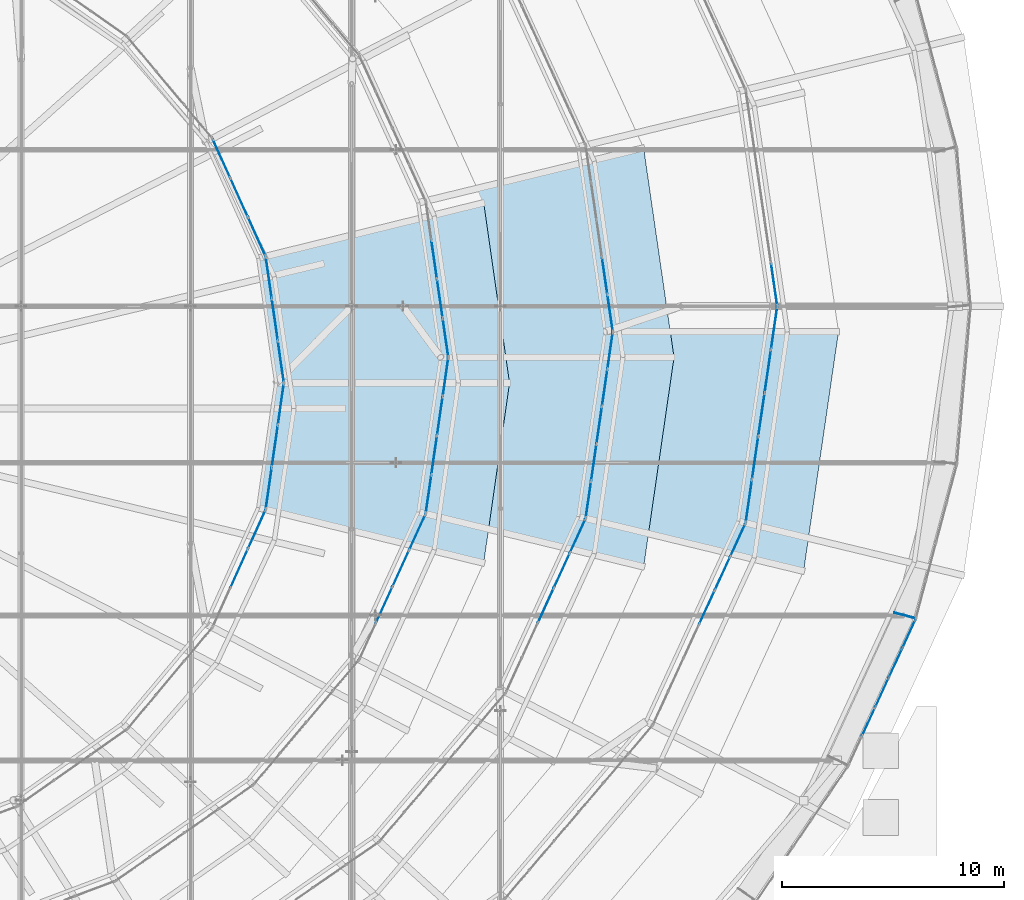
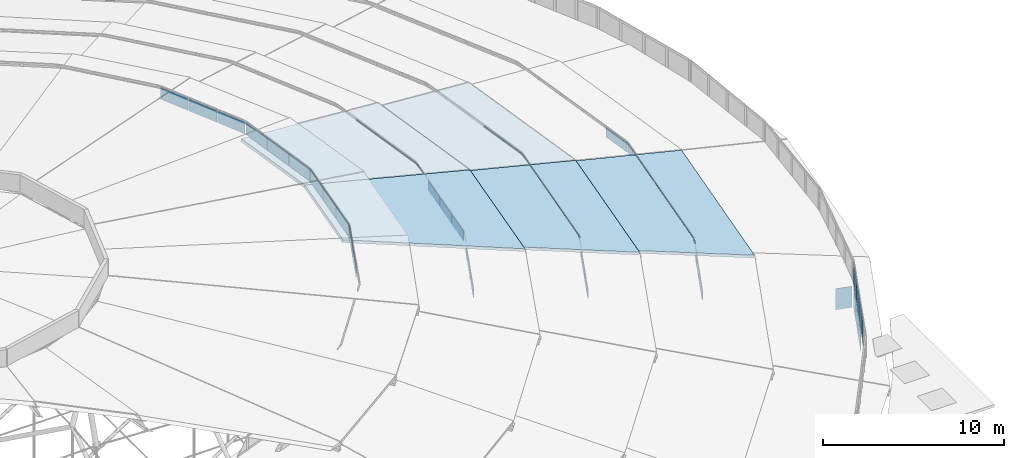
# One storey, part 152 of 173: 48 plates, 5 slabs, 17 elements without a shape of their own.
"""IFC4 building model written with IfcOpenShell, lengths in metres."""

from ifc_helpers import new_model, si_unit, direction, frame, origin, origin_2d, place, context, subcontext, project, spatial, polyline, rectangle, outline, extrude, material, layer, layer_set, type_object, element, aggregate, save


model = new_model("IFC4")

# Units and contexts
model_context = context("Model", 3, precision=1e-05, world=origin(), true_north=direction((0.0, 1.0)))
body_context = subcontext(model_context, "Body", "Model", "MODEL_VIEW")
ifc_project = project(units=[si_unit("LENGTHUNIT", "METRE"), si_unit("AREAUNIT", "SQUARE_METRE"), si_unit("VOLUMEUNIT", "CUBIC_METRE"), si_unit("PLANEANGLEUNIT", "RADIAN"), si_unit("MASSUNIT", "GRAM", prefix="KILO")], contexts=[model_context])

# Site, building, storey
site_placement = place(None, origin())
site = spatial("IfcSite", under=ifc_project, at=site_placement, CompositionType="ELEMENT")
building_placement = place(site_placement, origin())
building = spatial("IfcBuilding", under=site, at=building_placement, Name="Glasvene Arena", CompositionType="ELEMENT")
storey_placement = place(building_placement, frame((0.0, 0.0, 28.800048828125)))
storey = spatial("IfcBuildingStorey", under=building, at=storey_placement, Name="RF", CompositionType="ELEMENT", Elevation=28.800048828125)

# Curtain wall, plate
ifc_material_1 = material(Name="Low-emissivity laminated double glazing", Category="glass")
curtain_wall_type_1 = type_object("IfcCurtainWallType", Name="CW-PET1-986x75", PredefinedType="USERDEFINED", material=ifc_material_1)
curtain_wall_1_placement = place(storey_placement, frame((133.85009765625, 73.0, 0.0)))
curtain_wall_1 = element("IfcCurtainWall", 1, at=curtain_wall_1_placement, inside=storey, type_object=curtain_wall_type_1, Name="Petal ring 1-2 clerestory curtain wall 01", ObjectType="CURTAIN WALL", PredefinedType="USERDEFINED")
ifc_layer_1 = layer(ifc_material_1, 0.028076171875)
ifc_layer_set_1 = layer_set([ifc_layer_1], Name="Low-emissivity laminated double glazing")
plate_type_1 = type_object("IfcPlateType", Name="CW-GLZ-28", PredefinedType="CURTAIN_PANEL", material=ifc_layer_set_1)
plate_1_placement = place(storey_placement, frame((133.70556640625, 73.988037109375, 2.6298828125), z_axis=(0.0, 0.0, 1.0), x_axis=(-0.144607878249, 0.989489040641, 0.0)))
plate_1 = element("IfcPlate", 2, at=plate_1_placement, type_object=plate_type_1, Name="CW-081 panel 1.1", PredefinedType="CURTAIN_PANEL", context=body_context, shape_type="SweptSolid", body=[
    extrude(rectangle(XDim=1.897216796875, YDim=0.028076171875, at=origin_2d()), origin(), (0.0, 0.0, 1.0), 0.64990234375),
])
aggregate(curtain_wall_1, [plate_1])

# Curtain wall, plates
curtain_wall_type_2 = type_object("IfcCurtainWallType", Name="CW-PET1-1001x75", PredefinedType="USERDEFINED", material=ifc_material_1)
curtain_wall_2_placement = place(storey_placement, frame((128.2431640625, 54.14990234375, 0.0)))
curtain_wall_2 = element("IfcCurtainWall", 3, at=curtain_wall_2_placement, inside=storey, type_object=curtain_wall_type_2, Name="Petal ring 1-2 clerestory curtain wall 23", ObjectType="CURTAIN WALL", PredefinedType="USERDEFINED")
plate_2_placement = place(storey_placement, frame((130.681884765625, 59.453857421875, 2.6298828125), z_axis=(0.0, 0.0, 1.0), x_axis=(0.41776127596, 0.908556831634, 0.0)))
plate_2 = element("IfcPlate", 4, at=plate_2_placement, type_object=plate_type_1, Name="CW-082 panel 4.1", PredefinedType="CURTAIN_PANEL", context=body_context, shape_type="SweptSolid", body=[
    extrude(rectangle(XDim=1.617919921875, YDim=0.028076171875, at=origin_2d()), origin(), (0.0, 0.0, 1.0), 0.64990234375),
])
plate_3_placement = place(storey_placement, frame((131.37890625, 60.969482421875, 2.6298828125), z_axis=(0.0, 0.0, 1.0), x_axis=(0.41776127596, 0.908556831634, 0.0)))
plate_3 = element("IfcPlate", 5, at=plate_3_placement, type_object=plate_type_1, Name="CW-082 panel 5.1", PredefinedType="CURTAIN_PANEL", context=body_context, shape_type="SweptSolid", body=[
    extrude(rectangle(XDim=1.617919921875, YDim=0.028076171875, at=origin_2d()), origin(), (0.0, 0.0, 1.0), 0.64990234375),
])
plate_4_placement = place(storey_placement, frame((132.0703125, 62.473388671875, 2.6298828125), z_axis=(0.0, 0.0, 1.0), x_axis=(0.41776127596, 0.908556831634, 0.0)))
plate_4 = element("IfcPlate", 6, at=plate_4_placement, type_object=plate_type_1, Name="CW-082 panel 6.1", PredefinedType="CURTAIN_PANEL", context=body_context, shape_type="SweptSolid", body=[
    extrude(rectangle(XDim=1.593017578125, YDim=0.028076171875, at=origin_2d()), origin(), (0.0, 0.0, 1.0), 0.64990234375),
])
aggregate(curtain_wall_2, [plate_2, plate_3, plate_4])

curtain_wall_3_placement = place(storey_placement, frame((132.424072265625, 63.242431640625, 0.0)))
curtain_wall_3 = element("IfcCurtainWall", 7, at=curtain_wall_3_placement, inside=storey, type_object=curtain_wall_type_1, Name="Petal ring 1-2 clerestory curtain wall 24", ObjectType="CURTAIN WALL", PredefinedType="USERDEFINED")
plate_5_placement = place(storey_placement, frame((132.568359375, 64.230712890625, 2.6298828125), z_axis=(0.0, 0.0, 1.0), x_axis=(0.144607878249, 0.989489040641, 0.0)))
plate_5 = element("IfcPlate", 8, at=plate_5_placement, type_object=plate_type_1, Name="CW-081 panel 1.1", PredefinedType="CURTAIN_PANEL", context=body_context, shape_type="SweptSolid", body=[
    extrude(rectangle(XDim=1.897216796875, YDim=0.028076171875, at=origin_2d()), origin(), (0.0, 0.0, 1.0), 0.64990234375),
])
plate_6_placement = place(storey_placement, frame((132.851806640625, 66.169677734375, 2.6298828125), z_axis=(0.0, 0.0, 1.0), x_axis=(0.144607878249, 0.989489040641, 0.0)))
plate_6 = element("IfcPlate", 9, at=plate_6_placement, type_object=plate_type_1, Name="CW-081 panel 2.1", PredefinedType="CURTAIN_PANEL", context=body_context, shape_type="SweptSolid", body=[
    extrude(rectangle(XDim=1.922119140625, YDim=0.028076171875, at=origin_2d()), origin(), (0.0, 0.0, 1.0), 0.64990234375),
])
plate_7_placement = place(storey_placement, frame((133.136962890625, 68.121337890625, 2.6298828125), z_axis=(0.0, 0.0, 1.0), x_axis=(0.144607878249, 0.989489040641, 0.0)))
plate_7 = element("IfcPlate", 10, at=plate_7_placement, type_object=plate_type_1, Name="CW-081 panel 3.1", PredefinedType="CURTAIN_PANEL", context=body_context, shape_type="SweptSolid", body=[
    extrude(rectangle(XDim=1.922119140625, YDim=0.028076171875, at=origin_2d()), origin(), (0.0, 0.0, 1.0), 0.64990234375),
])
plate_8_placement = place(storey_placement, frame((133.422119140625, 70.07275390625, 2.6298828125), z_axis=(0.0, 0.0, 1.0), x_axis=(0.144607878249, 0.989489040641, 0.0)))
plate_8 = element("IfcPlate", 11, at=plate_8_placement, type_object=plate_type_1, Name="CW-081 panel 4.1", PredefinedType="CURTAIN_PANEL", context=body_context, shape_type="SweptSolid", body=[
    extrude(rectangle(XDim=1.922119140625, YDim=0.028076171875, at=origin_2d()), origin(), (0.0, 0.0, 1.0), 0.64990234375),
])
plate_9_placement = place(storey_placement, frame((133.70556640625, 72.011962890625, 2.6298828125), z_axis=(0.0, 0.0, 1.0), x_axis=(0.144607878249, 0.989489040641, 0.0)))
plate_9 = element("IfcPlate", 12, at=plate_9_placement, type_object=plate_type_1, Name="CW-081 panel 5.1", PredefinedType="CURTAIN_PANEL", context=body_context, shape_type="SweptSolid", body=[
    extrude(rectangle(XDim=1.897216796875, YDim=0.028076171875, at=origin_2d()), origin(), (0.0, 0.0, 1.0), 0.64990234375),
])
aggregate(curtain_wall_3, [plate_5, plate_6, plate_7, plate_8, plate_9])

curtain_wall_type_3 = type_object("IfcCurtainWallType", Name="CW-PET2-849x75", PredefinedType="USERDEFINED", material=ifc_material_1)
curtain_wall_4_placement = place(storey_placement, frame((126.449951171875, 71.85009765625, 0.0)))
curtain_wall_4 = element("IfcCurtainWall", 13, at=curtain_wall_4_placement, inside=storey, type_object=curtain_wall_type_3, Name="Petal ring 2-3 clerestory curtain wall 01", ObjectType="CURTAIN WALL", PredefinedType="USERDEFINED")
plate_10_placement = place(storey_placement, frame((126.325927734375, 72.7021484375, 5.22998046875), z_axis=(0.0, 0.0, 1.0), x_axis=(-0.144132635268, 0.98955837799, 0.0)))
plate_10 = element("IfcPlate", 14, at=plate_10_placement, type_object=plate_type_1, Name="CW-087 panel 1.1", PredefinedType="CURTAIN_PANEL", context=body_context, shape_type="SweptSolid", body=[
    extrude(rectangle(XDim=1.62255859375, YDim=0.028076171875, at=origin_2d()), origin(), (0.0, 0.0, 1.0), 0.64990234375),
])
plate_11_placement = place(storey_placement, frame((126.0830078125, 74.36962890625, 5.22998046875), z_axis=(0.0, 0.0, 1.0), x_axis=(-0.144132635268, 0.98955837799, 0.0)))
plate_11 = element("IfcPlate", 15, at=plate_11_placement, type_object=plate_type_1, Name="CW-087 panel 2.1", PredefinedType="CURTAIN_PANEL", context=body_context, shape_type="SweptSolid", body=[
    extrude(rectangle(XDim=1.6474609375, YDim=0.028076171875, at=origin_2d()), origin(), (0.0, 0.0, 1.0), 0.64990234375),
])
aggregate(curtain_wall_4, [plate_10, plate_11])

curtain_wall_type_4 = type_object("IfcCurtainWallType", Name="CW-PET2-861x75", PredefinedType="USERDEFINED", material=ifc_material_1)
curtain_wall_5_placement = place(storey_placement, frame((121.640380859375, 55.625, 0.0)))
curtain_wall_5 = element("IfcCurtainWall", 16, at=curtain_wall_5_placement, inside=storey, type_object=curtain_wall_type_4, Name="Petal ring 2-3 clerestory curtain wall 23", ObjectType="CURTAIN WALL", PredefinedType="USERDEFINED")
plate_12_placement = place(storey_placement, frame((123.43359375, 59.5380859375, 5.22998046875), z_axis=(0.0, 0.0, 1.0), x_axis=(0.416591913749, 0.909093602111, 0.0)))
plate_12 = element("IfcPlate", 17, at=plate_12_placement, type_object=plate_type_1, Name="CW-088 panel 3.1", PredefinedType="CURTAIN_PANEL", context=body_context, shape_type="SweptSolid", body=[
    extrude(rectangle(XDim=1.671875, YDim=0.028076171875, at=origin_2d()), origin(), (0.0, 0.0, 1.0), 0.64990234375),
])
plate_13_placement = place(storey_placement, frame((124.15087890625, 61.103515625, 5.22998046875), z_axis=(0.0, 0.0, 1.0), x_axis=(0.416591913749, 0.909093602111, 0.0)))
plate_13 = element("IfcPlate", 18, at=plate_13_placement, type_object=plate_type_1, Name="CW-088 panel 4.1", PredefinedType="CURTAIN_PANEL", context=body_context, shape_type="SweptSolid", body=[
    extrude(rectangle(XDim=1.671875, YDim=0.028076171875, at=origin_2d()), origin(), (0.0, 0.0, 1.0), 0.64990234375),
])
plate_14_placement = place(storey_placement, frame((124.86279296875, 62.6572265625, 5.22998046875), z_axis=(0.0, 0.0, 1.0), x_axis=(0.416591913749, 0.909093602111, 0.0)))
plate_14 = element("IfcPlate", 19, at=plate_14_placement, type_object=plate_type_1, Name="CW-088 panel 5.1", PredefinedType="CURTAIN_PANEL", context=body_context, shape_type="SweptSolid", body=[
    extrude(rectangle(XDim=1.646728515625, YDim=0.028076171875, at=origin_2d()), origin(), (0.0, 0.0, 1.0), 0.64990234375),
])
aggregate(curtain_wall_5, [plate_12, plate_13, plate_14])

curtain_wall_6_placement = place(storey_placement, frame((125.226806640625, 63.451416015625, 0.0)))
curtain_wall_6 = element("IfcCurtainWall", 20, at=curtain_wall_6_placement, inside=storey, type_object=curtain_wall_type_3, Name="Petal ring 2-3 clerestory curtain wall 24", ObjectType="CURTAIN WALL", PredefinedType="USERDEFINED")
plate_15_placement = place(storey_placement, frame((125.350830078125, 64.303466796875, 5.22998046875), z_axis=(0.0, 0.0, 1.0), x_axis=(0.144132635268, 0.98955837799, 0.0)))
plate_15 = element("IfcPlate", 21, at=plate_15_placement, type_object=plate_type_1, Name="CW-087 panel 1.1", PredefinedType="CURTAIN_PANEL", context=body_context, shape_type="SweptSolid", body=[
    extrude(rectangle(XDim=1.62255859375, YDim=0.028076171875, at=origin_2d()), origin(), (0.0, 0.0, 1.0), 0.64990234375),
])
plate_16_placement = place(storey_placement, frame((125.59375, 65.970947265625, 5.22998046875), z_axis=(0.0, 0.0, 1.0), x_axis=(0.144132635268, 0.98955837799, 0.0)))
plate_16 = element("IfcPlate", 22, at=plate_16_placement, type_object=plate_type_1, Name="CW-087 panel 2.1", PredefinedType="CURTAIN_PANEL", context=body_context, shape_type="SweptSolid", body=[
    extrude(rectangle(XDim=1.6474609375, YDim=0.028076171875, at=origin_2d()), origin(), (0.0, 0.0, 1.0), 0.64990234375),
])
plate_17_placement = place(storey_placement, frame((125.83837890625, 67.650634765625, 5.22998046875), z_axis=(0.0, 0.0, 1.0), x_axis=(0.144132635268, 0.98955837799, 0.0)))
plate_17 = element("IfcPlate", 23, at=plate_17_placement, type_object=plate_type_1, Name="CW-087 panel 3.1", PredefinedType="CURTAIN_PANEL", context=body_context, shape_type="SweptSolid", body=[
    extrude(rectangle(XDim=1.6474609375, YDim=0.028076171875, at=origin_2d()), origin(), (0.0, 0.0, 1.0), 0.64990234375),
])
plate_18_placement = place(storey_placement, frame((126.0830078125, 69.330322265625, 5.22998046875), z_axis=(0.0, 0.0, 1.0), x_axis=(0.144132635268, 0.98955837799, 0.0)))
plate_18 = element("IfcPlate", 24, at=plate_18_placement, type_object=plate_type_1, Name="CW-087 panel 4.1", PredefinedType="CURTAIN_PANEL", context=body_context, shape_type="SweptSolid", body=[
    extrude(rectangle(XDim=1.6474609375, YDim=0.028076171875, at=origin_2d()), origin(), (0.0, 0.0, 1.0), 0.64990234375),
])
plate_19_placement = place(storey_placement, frame((126.325927734375, 70.997802734375, 5.22998046875), z_axis=(0.0, 0.0, 1.0), x_axis=(0.144132635268, 0.98955837799, 0.0)))
plate_19 = element("IfcPlate", 25, at=plate_19_placement, type_object=plate_type_1, Name="CW-087 panel 5.1", PredefinedType="CURTAIN_PANEL", context=body_context, shape_type="SweptSolid", body=[
    extrude(rectangle(XDim=1.62255859375, YDim=0.028076171875, at=origin_2d()), origin(), (0.0, 0.0, 1.0), 0.64990234375),
])
aggregate(curtain_wall_6, [plate_15, plate_16, plate_17, plate_18, plate_19])

curtain_wall_type_5 = type_object("IfcCurtainWallType", Name="CW-PET3-711x75", PredefinedType="USERDEFINED", material=ifc_material_1)
curtain_wall_7_placement = place(storey_placement, frame((119.050048828125, 70.699951171875, 0.0)))
curtain_wall_7 = element("IfcCurtainWall", 26, at=curtain_wall_7_placement, inside=storey, type_object=curtain_wall_type_5, Name="Petal ring 3-4 clerestory curtain wall 01", ObjectType="CURTAIN WALL", PredefinedType="USERDEFINED")
plate_20_placement = place(storey_placement, frame((118.920654296875, 71.59228515625, 7.8798828125), z_axis=(0.0, 0.0, 1.0), x_axis=(-0.143460001758, 0.989656115979, 0.0)))
plate_20 = element("IfcPlate", 27, at=plate_20_placement, type_object=plate_type_1, Name="CW-093 panel 1.1", PredefinedType="CURTAIN_PANEL", context=body_context, shape_type="SweptSolid", body=[
    extrude(rectangle(XDim=1.703369140625, YDim=0.028076171875, at=origin_2d()), origin(), (0.0, 0.0, 1.0), 0.64990234375),
])
plate_21_placement = place(storey_placement, frame((118.667236328125, 73.33984375, 7.8798828125), z_axis=(0.0, 0.0, 1.0), x_axis=(-0.143460001758, 0.989656115979, 0.0)))
plate_21 = element("IfcPlate", 28, at=plate_21_placement, type_object=plate_type_1, Name="CW-093 panel 2.1", PredefinedType="CURTAIN_PANEL", context=body_context, shape_type="SweptSolid", body=[
    extrude(rectangle(XDim=1.728271484375, YDim=0.028076171875, at=origin_2d()), origin(), (0.0, 0.0, 1.0), 0.64990234375),
])
plate_22_placement = place(storey_placement, frame((118.412109375, 75.099853515625, 7.8798828125), z_axis=(0.0, 0.0, 1.0), x_axis=(-0.143460001758, 0.989656115979, 0.0)))
plate_22 = element("IfcPlate", 29, at=plate_22_placement, type_object=plate_type_1, Name="CW-093 panel 3.1", PredefinedType="CURTAIN_PANEL", context=body_context, shape_type="SweptSolid", body=[
    extrude(rectangle(XDim=1.728271484375, YDim=0.028076171875, at=origin_2d()), origin(), (0.0, 0.0, 1.0), 0.64990234375),
])
aggregate(curtain_wall_7, [plate_20, plate_21, plate_22])

curtain_wall_type_6 = type_object("IfcCurtainWallType", Name="CW-PET3-721x75", PredefinedType="USERDEFINED", material=ifc_material_1)
curtain_wall_8_placement = place(storey_placement, frame((115.03759765625, 57.10009765625, 0.0)))
curtain_wall_8 = element("IfcCurtainWall", 30, at=curtain_wall_8_placement, inside=storey, type_object=curtain_wall_type_6, Name="Petal ring 3-4 clerestory curtain wall 23", ObjectType="CURTAIN WALL", PredefinedType="USERDEFINED")
plate_23_placement = place(storey_placement, frame((116.159423828125, 59.56005859375, 7.8798828125), z_axis=(0.0, 0.0, 1.0), x_axis=(0.414967716717, 0.909836135842, 0.0)))
plate_23 = element("IfcPlate", 31, at=plate_23_placement, type_object=plate_type_1, Name="CW-094 panel 2.1", PredefinedType="CURTAIN_PANEL", context=body_context, shape_type="SweptSolid", body=[
    extrude(rectangle(XDim=1.75244140625, YDim=0.028076171875, at=origin_2d()), origin(), (0.0, 0.0, 1.0), 0.64990234375),
])
plate_24_placement = place(storey_placement, frame((116.907470703125, 61.199951171875, 7.8798828125), z_axis=(0.0, 0.0, 1.0), x_axis=(0.414967716717, 0.909836135842, 0.0)))
plate_24 = element("IfcPlate", 32, at=plate_24_placement, type_object=plate_type_1, Name="CW-094 panel 3.1", PredefinedType="CURTAIN_PANEL", context=body_context, shape_type="SweptSolid", body=[
    extrude(rectangle(XDim=1.75244140625, YDim=0.028076171875, at=origin_2d()), origin(), (0.0, 0.0, 1.0), 0.64990234375),
])
plate_25_placement = place(storey_placement, frame((117.650390625, 62.82861328125, 7.8798828125), z_axis=(0.0, 0.0, 1.0), x_axis=(0.414967716717, 0.909836135842, 0.0)))
plate_25 = element("IfcPlate", 33, at=plate_25_placement, type_object=plate_type_1, Name="CW-094 panel 4.1", PredefinedType="CURTAIN_PANEL", context=body_context, shape_type="SweptSolid", body=[
    extrude(rectangle(XDim=1.7275390625, YDim=0.028076171875, at=origin_2d()), origin(), (0.0, 0.0, 1.0), 0.64990234375),
])
aggregate(curtain_wall_8, [plate_23, plate_24, plate_25])

curtain_wall_9_placement = place(storey_placement, frame((118.029541015625, 63.66015625, 0.0)))
curtain_wall_9 = element("IfcCurtainWall", 34, at=curtain_wall_9_placement, inside=storey, type_object=curtain_wall_type_5, Name="Petal ring 3-4 clerestory curtain wall 24", ObjectType="CURTAIN WALL", PredefinedType="USERDEFINED")
plate_26_placement = place(storey_placement, frame((118.158935546875, 64.552490234375, 7.8798828125), z_axis=(0.0, 0.0, 1.0), x_axis=(0.143460001758, 0.989656115979, 0.0)))
plate_26 = element("IfcPlate", 35, at=plate_26_placement, type_object=plate_type_1, Name="CW-093 panel 1.1", PredefinedType="CURTAIN_PANEL", context=body_context, shape_type="SweptSolid", body=[
    extrude(rectangle(XDim=1.703369140625, YDim=0.028076171875, at=origin_2d()), origin(), (0.0, 0.0, 1.0), 0.64990234375),
])
plate_27_placement = place(storey_placement, frame((118.412109375, 66.300048828125, 7.8798828125), z_axis=(0.0, 0.0, 1.0), x_axis=(0.143460001758, 0.989656115979, 0.0)))
plate_27 = element("IfcPlate", 36, at=plate_27_placement, type_object=plate_type_1, Name="CW-093 panel 2.1", PredefinedType="CURTAIN_PANEL", context=body_context, shape_type="SweptSolid", body=[
    extrude(rectangle(XDim=1.728271484375, YDim=0.028076171875, at=origin_2d()), origin(), (0.0, 0.0, 1.0), 0.64990234375),
])
plate_28_placement = place(storey_placement, frame((118.667236328125, 68.06005859375, 7.8798828125), z_axis=(0.0, 0.0, 1.0), x_axis=(0.143460001758, 0.989656115979, 0.0)))
plate_28 = element("IfcPlate", 37, at=plate_28_placement, type_object=plate_type_1, Name="CW-093 panel 3.1", PredefinedType="CURTAIN_PANEL", context=body_context, shape_type="SweptSolid", body=[
    extrude(rectangle(XDim=1.728271484375, YDim=0.028076171875, at=origin_2d()), origin(), (0.0, 0.0, 1.0), 0.64990234375),
])
plate_29_placement = place(storey_placement, frame((118.920654296875, 69.8076171875, 7.8798828125), z_axis=(0.0, 0.0, 1.0), x_axis=(0.143460001758, 0.989656115979, 0.0)))
plate_29 = element("IfcPlate", 38, at=plate_29_placement, type_object=plate_type_1, Name="CW-093 panel 4.1", PredefinedType="CURTAIN_PANEL", context=body_context, shape_type="SweptSolid", body=[
    extrude(rectangle(XDim=1.703369140625, YDim=0.028076171875, at=origin_2d()), origin(), (0.0, 0.0, 1.0), 0.64990234375),
])
aggregate(curtain_wall_9, [plate_26, plate_27, plate_28, plate_29])

curtain_wall_type_7 = type_object("IfcCurtainWallType", Name="CW-PET4-575x92", PredefinedType="USERDEFINED", material=ifc_material_1)
curtain_wall_10_placement = place(storey_placement, frame((111.64990234375, 69.550048828125, 0.0)))
curtain_wall_10 = element("IfcCurtainWall", 39, at=curtain_wall_10_placement, inside=storey, type_object=curtain_wall_type_7, Name="Petal ring 4-5 clerestory curtain wall 01", ObjectType="CURTAIN WALL", PredefinedType="USERDEFINED")
plate_30_placement = place(storey_placement, frame((111.511962890625, 70.511474609375, 10.580078125), z_axis=(0.0, 0.0, 1.0), x_axis=(-0.142166045165, 0.989842823686, 0.0)))
plate_30 = element("IfcPlate", 40, at=plate_30_placement, type_object=plate_type_1, Name="CW-099 panel 1.1", PredefinedType="CURTAIN_PANEL", context=body_context, shape_type="SweptSolid", body=[
    extrude(rectangle(XDim=1.842529296875, YDim=0.028076171875, at=origin_2d()), origin(), (0.0, 0.0, 1.0), 0.81591796875),
])
plate_31_placement = place(storey_placement, frame((111.2412109375, 72.39697265625, 10.580078125), z_axis=(0.0, 0.0, 1.0), x_axis=(-0.142166045165, 0.989842823686, 0.0)))
plate_31 = element("IfcPlate", 41, at=plate_31_placement, type_object=plate_type_1, Name="CW-099 panel 2.1", PredefinedType="CURTAIN_PANEL", context=body_context, shape_type="SweptSolid", body=[
    extrude(rectangle(XDim=1.867431640625, YDim=0.028076171875, at=origin_2d()), origin(), (0.0, 0.0, 1.0), 0.81591796875),
])
plate_32_placement = place(storey_placement, frame((110.97021484375, 74.28271484375, 10.580078125), z_axis=(0.0, 0.0, 1.0), x_axis=(-0.142166045165, 0.989842823686, 0.0)))
plate_32 = element("IfcPlate", 42, at=plate_32_placement, type_object=plate_type_1, Name="CW-099 panel 3.1", PredefinedType="CURTAIN_PANEL", context=body_context, shape_type="SweptSolid", body=[
    extrude(rectangle(XDim=1.842529296875, YDim=0.028076171875, at=origin_2d()), origin(), (0.0, 0.0, 1.0), 0.81591796875),
])
aggregate(curtain_wall_10, [plate_30, plate_31, plate_32])

curtain_wall_type_8 = type_object("IfcCurtainWallType", Name="CW-PET4-582x92", PredefinedType="USERDEFINED", material=ifc_material_1)
curtain_wall_11_placement = place(storey_placement, frame((110.832275390625, 75.243896484375, 0.0)))
curtain_wall_11 = element("IfcCurtainWall", 43, at=curtain_wall_11_placement, inside=storey, type_object=curtain_wall_type_8, Name="Petal ring 4-5 clerestory curtain wall 02", ObjectType="CURTAIN WALL", PredefinedType="USERDEFINED")
plate_33_placement = place(storey_placement, frame((110.427490234375, 76.1396484375, 10.580078125), z_axis=(0.0, 0.0, 1.0), x_axis=(-0.411778142566, 0.911284127649, 0.0)))
plate_33 = element("IfcPlate", 44, at=plate_33_placement, type_object=plate_type_1, Name="CW-100 panel 1.1", PredefinedType="CURTAIN_PANEL", context=body_context, shape_type="SweptSolid", body=[
    extrude(rectangle(XDim=1.865966796875, YDim=0.028076171875, at=origin_2d()), origin(), (0.0, 0.0, 1.0), 0.81591796875),
])
plate_34_placement = place(storey_placement, frame((109.63330078125, 77.89697265625, 10.580078125), z_axis=(0.0, 0.0, 1.0), x_axis=(-0.411778142566, 0.911284127649, 0.0)))
plate_34 = element("IfcPlate", 45, at=plate_34_placement, type_object=plate_type_1, Name="CW-100 panel 2.1", PredefinedType="CURTAIN_PANEL", context=body_context, shape_type="SweptSolid", body=[
    extrude(rectangle(XDim=1.890869140625, YDim=0.028076171875, at=origin_2d()), origin(), (0.0, 0.0, 1.0), 0.81591796875),
])
plate_35_placement = place(storey_placement, frame((108.83935546875, 79.654296875, 10.580078125), z_axis=(0.0, 0.0, 1.0), x_axis=(-0.411778142566, 0.911284127649, 0.0)))
plate_35 = element("IfcPlate", 46, at=plate_35_placement, type_object=plate_type_1, Name="CW-100 panel 3.1", PredefinedType="CURTAIN_PANEL", context=body_context, shape_type="SweptSolid", body=[
    extrude(rectangle(XDim=1.865966796875, YDim=0.028076171875, at=origin_2d()), origin(), (0.0, 0.0, 1.0), 0.81591796875),
])
aggregate(curtain_wall_11, [plate_33, plate_34, plate_35])

curtain_wall_12_placement = place(storey_placement, frame((108.4345703125, 58.550048828125, 0.0)))
curtain_wall_12 = element("IfcCurtainWall", 47, at=curtain_wall_12_placement, inside=storey, type_object=curtain_wall_type_8, Name="Petal ring 4-5 clerestory curtain wall 23", ObjectType="CURTAIN WALL", PredefinedType="USERDEFINED")
plate_36_placement = place(storey_placement, frame((109.63330078125, 61.202880859375, 10.580078125), z_axis=(0.0, 0.0, 1.0), x_axis=(0.411778142566, 0.911284127649, 0.0)))
plate_36 = element("IfcPlate", 48, at=plate_36_placement, type_object=plate_type_1, Name="CW-100 panel 2.1", PredefinedType="CURTAIN_PANEL", context=body_context, shape_type="SweptSolid", body=[
    extrude(rectangle(XDim=1.890869140625, YDim=0.028076171875, at=origin_2d()), origin(), (0.0, 0.0, 1.0), 0.81591796875),
])
plate_37_placement = place(storey_placement, frame((110.427490234375, 62.960205078125, 10.580078125), z_axis=(0.0, 0.0, 1.0), x_axis=(0.411778142566, 0.911284127649, 0.0)))
plate_37 = element("IfcPlate", 49, at=plate_37_placement, type_object=plate_type_1, Name="CW-100 panel 3.1", PredefinedType="CURTAIN_PANEL", context=body_context, shape_type="SweptSolid", body=[
    extrude(rectangle(XDim=1.865966796875, YDim=0.028076171875, at=origin_2d()), origin(), (0.0, 0.0, 1.0), 0.81591796875),
])
aggregate(curtain_wall_12, [plate_36, plate_37])

curtain_wall_13_placement = place(storey_placement, frame((110.832275390625, 63.85595703125, 0.0)))
curtain_wall_13 = element("IfcCurtainWall", 50, at=curtain_wall_13_placement, inside=storey, type_object=curtain_wall_type_7, Name="Petal ring 4-5 clerestory curtain wall 24", ObjectType="CURTAIN WALL", PredefinedType="USERDEFINED")
plate_38_placement = place(storey_placement, frame((110.97021484375, 64.8173828125, 10.580078125), z_axis=(0.0, 0.0, 1.0), x_axis=(0.142166045165, 0.989842823686, 0.0)))
plate_38 = element("IfcPlate", 51, at=plate_38_placement, type_object=plate_type_1, Name="CW-099 panel 1.1", PredefinedType="CURTAIN_PANEL", context=body_context, shape_type="SweptSolid", body=[
    extrude(rectangle(XDim=1.842529296875, YDim=0.028076171875, at=origin_2d()), origin(), (0.0, 0.0, 1.0), 0.81591796875),
])
plate_39_placement = place(storey_placement, frame((111.2412109375, 66.702880859375, 10.580078125), z_axis=(0.0, 0.0, 1.0), x_axis=(0.142166045165, 0.989842823686, 0.0)))
plate_39 = element("IfcPlate", 52, at=plate_39_placement, type_object=plate_type_1, Name="CW-099 panel 2.1", PredefinedType="CURTAIN_PANEL", context=body_context, shape_type="SweptSolid", body=[
    extrude(rectangle(XDim=1.867431640625, YDim=0.028076171875, at=origin_2d()), origin(), (0.0, 0.0, 1.0), 0.81591796875),
])
plate_40_placement = place(storey_placement, frame((111.511962890625, 68.588623046875, 10.580078125), z_axis=(0.0, 0.0, 1.0), x_axis=(0.142166045165, 0.989842823686, 0.0)))
plate_40 = element("IfcPlate", 53, at=plate_40_placement, type_object=plate_type_1, Name="CW-099 panel 3.1", PredefinedType="CURTAIN_PANEL", context=body_context, shape_type="SweptSolid", body=[
    extrude(rectangle(XDim=1.842529296875, YDim=0.028076171875, at=origin_2d()), origin(), (0.0, 0.0, 1.0), 0.81591796875),
])
aggregate(curtain_wall_13, [plate_38, plate_39, plate_40])

curtain_wall_type_9 = type_object("IfcCurtainWallType", Name="CW-DRUM-727x310", PredefinedType="USERDEFINED", material=ifc_material_1)
curtain_wall_14_placement = place(storey_placement, frame((137.040283203125, 52.32080078125, 0.0)))
curtain_wall_14 = element("IfcCurtainWall", 54, at=curtain_wall_14_placement, inside=storey, type_object=curtain_wall_type_9, Name="Crown compression-ring fascia curtain wall 38", ObjectType="CURTAIN WALL", PredefinedType="USERDEFINED")
ifc_material_2 = material(Name="Insulated shadow-box spandrel panel")
ifc_layer_2 = layer(ifc_material_2, 0.02392578125)
ifc_layer_set_2 = layer_set([ifc_layer_2], Name="Insulated shadow-box spandrel panel")
plate_type_2 = type_object("IfcPlateType", Name="CW-SPN-24", PredefinedType="CURTAIN_PANEL", material=ifc_layer_set_2)
plate_41_placement = place(storey_placement, frame((137.951171875, 54.3017578125, 0.044921875), z_axis=(0.0, 0.0, 1.0), x_axis=(0.417660752738, 0.908603046232, 0.0)))
plate_41 = element("IfcPlate", 55, at=plate_41_placement, type_object=plate_type_2, Name="CW-073 panel 2.2", PredefinedType="CURTAIN_PANEL", context=body_context, shape_type="SweptSolid", body=[
    extrude(rectangle(XDim=1.403564453125, YDim=0.02392578125, at=origin_2d()), origin(), (0.0, 0.0, 1.0), 1.625),
])
plate_42_placement = place(storey_placement, frame((138.55810546875, 55.62255859375, -1.330078125), z_axis=(0.0, 0.0, 1.0), x_axis=(0.417660752738, 0.908603046232, 0.0)))
plate_42 = element("IfcPlate", 56, at=plate_42_placement, type_object=plate_type_2, Name="CW-073 panel 3.1", PredefinedType="CURTAIN_PANEL", context=body_context, shape_type="SweptSolid", body=[
    extrude(rectangle(XDim=1.403564453125, YDim=0.02392578125, at=origin_2d()), origin(), (0.0, 0.0, 1.0), 1.324951171875),
])
plate_43_placement = place(storey_placement, frame((138.55810546875, 55.62255859375, 0.044921875), z_axis=(0.0, 0.0, 1.0), x_axis=(0.417660752738, 0.908603046232, 0.0)))
plate_43 = element("IfcPlate", 57, at=plate_43_placement, type_object=plate_type_2, Name="CW-073 panel 3.2", PredefinedType="CURTAIN_PANEL", context=body_context, shape_type="SweptSolid", body=[
    extrude(rectangle(XDim=1.403564453125, YDim=0.02392578125, at=origin_2d()), origin(), (0.0, 0.0, 1.0), 1.625),
])
plate_44_placement = place(storey_placement, frame((139.165283203125, 56.943115234375, -1.330078125), z_axis=(0.0, 0.0, 1.0), x_axis=(0.417660752738, 0.908603046232, 0.0)))
plate_44 = element("IfcPlate", 58, at=plate_44_placement, type_object=plate_type_2, Name="CW-073 panel 4.1", PredefinedType="CURTAIN_PANEL", context=body_context, shape_type="SweptSolid", body=[
    extrude(rectangle(XDim=1.403564453125, YDim=0.02392578125, at=origin_2d()), origin(), (0.0, 0.0, 1.0), 1.324951171875),
])
plate_45_placement = place(storey_placement, frame((139.165283203125, 56.943115234375, 0.044921875), z_axis=(0.0, 0.0, 1.0), x_axis=(0.417660752738, 0.908603046232, 0.0)))
plate_45 = element("IfcPlate", 59, at=plate_45_placement, type_object=plate_type_2, Name="CW-073 panel 4.2", PredefinedType="CURTAIN_PANEL", context=body_context, shape_type="SweptSolid", body=[
    extrude(rectangle(XDim=1.403564453125, YDim=0.02392578125, at=origin_2d()), origin(), (0.0, 0.0, 1.0), 1.625),
])
plate_46_placement = place(storey_placement, frame((139.76708984375, 58.252685546875, -1.330078125), z_axis=(0.0, 0.0, 1.0), x_axis=(0.417660752738, 0.908603046232, 0.0)))
plate_46 = element("IfcPlate", 60, at=plate_46_placement, type_object=plate_type_2, Name="CW-073 panel 5.1", PredefinedType="CURTAIN_PANEL", context=body_context, shape_type="SweptSolid", body=[
    extrude(rectangle(XDim=1.378662109375, YDim=0.02392578125, at=origin_2d()), origin(), (0.0, 0.0, 1.0), 1.324951171875),
])
plate_47_placement = place(storey_placement, frame((139.76708984375, 58.252685546875, 0.044921875), z_axis=(0.0, 0.0, 1.0), x_axis=(0.417660752738, 0.908603046232, 0.0)))
plate_47 = element("IfcPlate", 61, at=plate_47_placement, type_object=plate_type_2, Name="CW-073 panel 5.2", PredefinedType="CURTAIN_PANEL", context=body_context, shape_type="SweptSolid", body=[
    extrude(rectangle(XDim=1.378662109375, YDim=0.02392578125, at=origin_2d()), origin(), (0.0, 0.0, 1.0), 1.625),
])
aggregate(curtain_wall_14, [plate_41, plate_42, plate_43, plate_44, plate_45, plate_46, plate_47])

# Plate
ifc_material_3 = material(Name="Steel S355J2", Category="steel")
ifc_layer_3 = layer(ifc_material_3, 0.035888671875)
ifc_layer_set_3 = layer_set([ifc_layer_3], Name="Steel S355J2")
plate_type_3 = type_object("IfcPlateType", Name="PL-CAP-36", PredefinedType="SHEET", material=ifc_layer_set_3)
plate_48_placement = place(storey_placement, frame((139.552734375, 59.09423828125, -1.409912109375), z_axis=(0.0, 0.0, 1.0), x_axis=(0.257807388214, 0.966196331282, 0.0)))
element("IfcPlate", 62, at=plate_48_placement, inside=storey, type_object=plate_type_3, Name="Ring beam node diaphragm cap plate ND-39", PredefinedType="SHEET", context=body_context, shape_type="SweptSolid", body=[
    extrude(rectangle(XDim=0.035888671875, YDim=0.919921875, at=origin_2d()), origin(), (0.0, 0.0, 1.0), 1.419921875),
])

# Roof, slab
ifc_material_4 = material(Name="Smooth matte white insulated roof panel")
ifc_layer_4 = layer(ifc_material_4, 0.179931640625)
ifc_layer_set_4 = layer_set([ifc_layer_4], Name="Smooth matte white insulated roof panel")
roof_type = type_object("IfcRoofType", Name="RF-PETAL-ASSY", PredefinedType="PAVILION_ROOF", material=ifc_layer_set_4)
roof_1_placement = place(storey_placement, frame((90.550048828125, 71.85009765625, 2.550048828125)))
roof_1 = element("IfcRoof", 63, at=roof_1_placement, inside=storey, type_object=roof_type, Name="Shifted white elliptical petal roof ring 2", PredefinedType="PAVILION_ROOF")
ifc_material_5 = material(Name="Precast concrete C50/60", Category="concrete")
ifc_layer_5 = layer(ifc_material_5, 0.179931640625)
ifc_layer_set_5 = layer_set([ifc_layer_5], Name="Precast concrete C50/60")
slab_type = type_object("IfcSlabType", Name="SL-PETAL-180", PredefinedType="ROOF", material=ifc_layer_set_5)
slab_1_placement = place(storey_placement, frame((135.031005859375, 61.0830078125, 2.550048828125), z_axis=(0.235839476184, -0.034370371529, 0.971184029437), x_axis=(0.144207436974, 0.989547479972, 1.346948e-06)))
slab_1 = element("IfcSlab", 64, at=slab_1_placement, type_object=slab_type, Name="White petal roof slab ring 2 bay 24", PredefinedType="ROOF", context=body_context, shape_type="SweptSolid", body=[
    extrude(outline(polyline([(0.0, 0.0), (10.880821327922682, -2.220446049250313e-16), (9.366646674150916, 10.698540978191579), (0.9668198173631447, 10.698649944520325), (0.0, 0.0)])), origin(), (0.0, 0.0, -1.0), 0.179931640625),
])
aggregate(roof_1, [slab_1])

# Roof, slabs
roof_2_placement = place(storey_placement, frame((89.10009765625, 70.699951171875, 5.14990234375)))
roof_2 = element("IfcRoof", 65, at=roof_2_placement, inside=storey, type_object=roof_type, Name="Shifted white elliptical petal roof ring 3", PredefinedType="PAVILION_ROOF")
slab_2_placement = place(storey_placement, frame((129.199951171875, 70.699951171875, 5.14990234375), z_axis=(0.240223908987, 0.034840596753, 0.97009206077), x_axis=(-0.143538945292, 0.989644669152, 1.727344e-06)))
slab_2 = element("IfcSlab", 66, at=slab_2_placement, type_object=slab_type, Name="White petal roof slab ring 3 bay 01", PredefinedType="ROOF", context=body_context, shape_type="SweptSolid", body=[
    extrude(outline(polyline([(0.0, 0.0), (9.5197230504677, -2.220446049250313e-16), (8.534260043735818, 10.711509870476664), (1.5071634168307313, 10.711627619401101), (0.0, 0.0)])), origin(), (0.0, 0.0, -1.0), 0.179931640625),
])
slab_3_placement = place(storey_placement, frame((127.83349609375, 61.279052734375, 5.14990234375), z_axis=(0.240223785445, -0.034841617736, 0.970092054694), x_axis=(0.143542620766, 0.989644136051, -1.596807e-06)))
slab_3 = element("IfcSlab", 67, at=slab_3_placement, type_object=slab_type, Name="White petal roof slab ring 3 bay 24", PredefinedType="ROOF", context=body_context, shape_type="SweptSolid", body=[
    extrude(outline(polyline([(0.0, 0.0), (9.51948143808149, -2.220446049250313e-16), (8.012279768180598, 10.711622236992827), (0.9854247540998646, 10.711513389666521), (0.0, 0.0)])), origin(), (0.0, 0.0, -1.0), 0.179931640625),
])
aggregate(roof_2, [slab_2, slab_3])

roof_3_placement = place(storey_placement, frame((87.64990234375, 69.550048828125, 7.800048828125)))
roof_3 = element("IfcRoof", 68, at=roof_3_placement, inside=storey, type_object=roof_type, Name="Shifted white elliptical petal roof ring 4", PredefinedType="PAVILION_ROOF")
slab_4_placement = place(storey_placement, frame((121.800048828125, 69.550048828125, 7.800048828125), z_axis=(0.244547089786, 0.035127517331, 0.969000917648), x_axis=(-0.142177646121, 0.989841157429, -1.581857e-06)))
slab_4 = element("IfcSlab", 69, at=slab_4_placement, type_object=slab_type, Name="White petal roof slab ring 4 bay 01", PredefinedType="ROOF", context=body_context, shape_type="SweptSolid", body=[
    extrude(outline(polyline([(0.0, 0.0), (8.183969264178348, 0.0), (7.160558447580042, 10.725914913547841), (1.4928610924986319, 10.725826224106797), (0.0, 0.0)])), origin(), (0.0, 0.0, -1.0), 0.179931640625),
])
slab_5_placement = place(storey_placement, frame((120.636474609375, 61.448974609375, 7.800048828125), z_axis=(0.244547239843, -0.035126287949, 0.969000924344), x_axis=(0.142173401399, 0.989841767119, 1.397362e-06)))
slab_5 = element("IfcSlab", 70, at=slab_5_placement, type_object=slab_type, Name="White petal roof slab ring 4 bay 24", PredefinedType="ROOF", context=body_context, shape_type="SweptSolid", body=[
    extrude(outline(polyline([(0.0, 0.0), (8.184210924707177, 2.220446049250313e-16), (6.691393912885987, 10.725832359331823), (1.0234548976501454, 10.725910707474377), (0.0, 0.0)])), origin(), (0.0, 0.0, -1.0), 0.179931640625),
])
aggregate(roof_3, [slab_4, slab_5])

save(model, "model.ifc")
